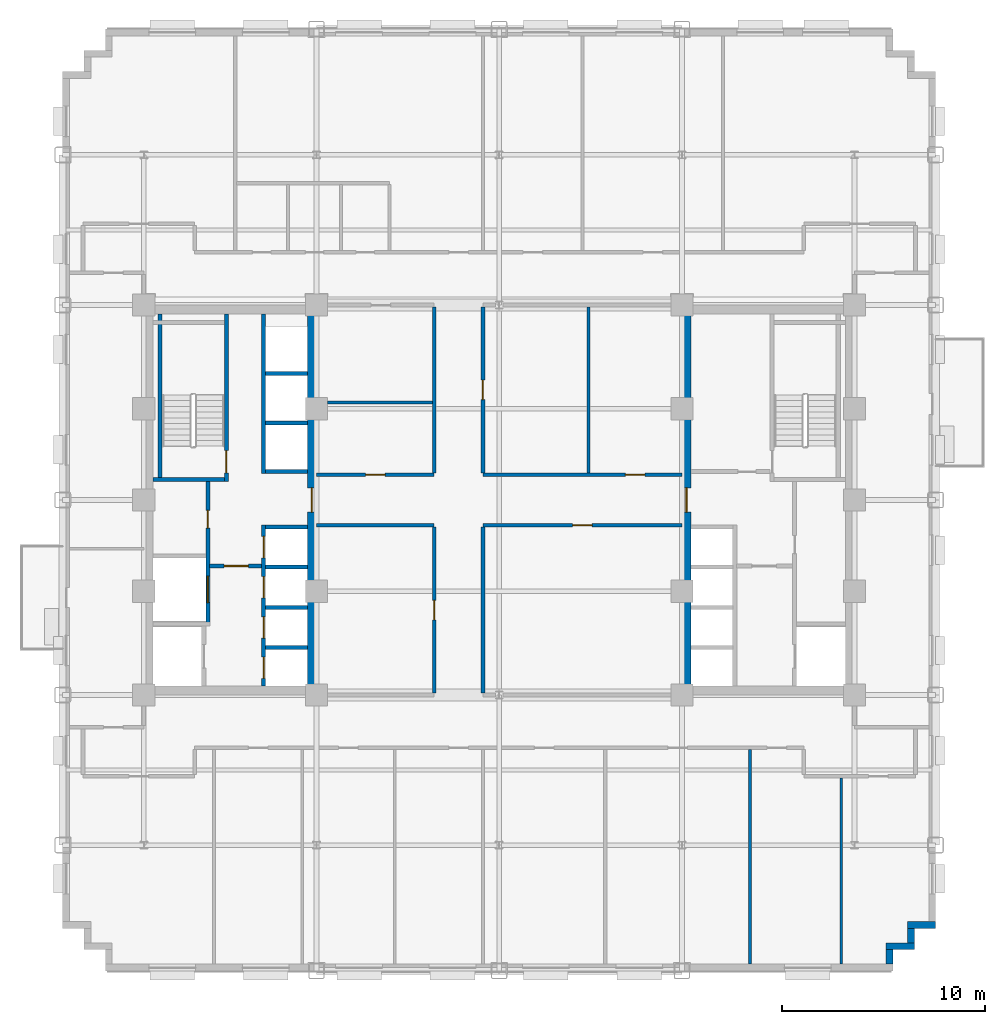
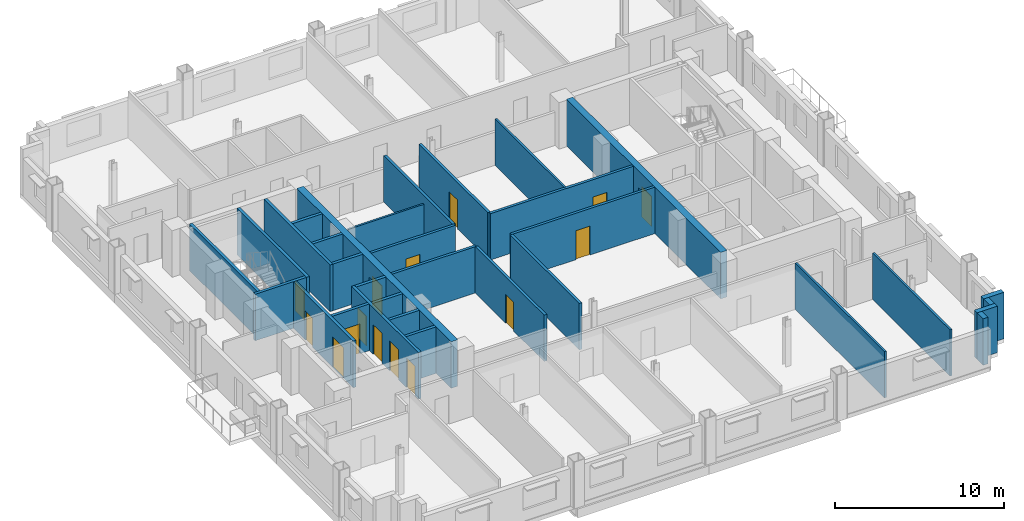
# One storey, part 7 of 14: 32 walls, 15 doors, 15 openings.
"""IFC4 building model written with IfcOpenShell, lengths in metres."""

from ifc_helpers import new_model, si_unit, direction, frame, frame_2d, origin, place, context, subcontext, project, spatial, rectangle, extrude, source, transform, mapped, material, layer, layer_set, type_object, type_shapes, element, fill, save


model = new_model("IFC4")

# Units and contexts
model_context = context("Model", 3, precision=1e-05, world=origin(), true_north=direction((0.0, 1.0)))
body_context = subcontext(model_context, "Body", "Model", "MODEL_VIEW")
ifc_project = project(units=[si_unit("LENGTHUNIT", "METRE"), si_unit("AREAUNIT", "SQUARE_METRE"), si_unit("VOLUMEUNIT", "CUBIC_METRE"), si_unit("PLANEANGLEUNIT", "RADIAN"), si_unit("MASSUNIT", "GRAM", prefix="KILO")], contexts=[model_context])

# Site, building, storey
site_placement = place(None, origin())
site = spatial("IfcSite", under=ifc_project, at=site_placement, CompositionType="ELEMENT")
building_placement = place(site_placement, origin())
building = spatial("IfcBuilding", under=site, at=building_placement, Name="Nuvemarco Arch Tower", CompositionType="ELEMENT")
storey_placement = place(building_placement, frame((0.0, 0.0, 75.050048828125)))
storey = spatial("IfcBuildingStorey", under=building, at=storey_placement, Name="L19", CompositionType="ELEMENT", Elevation=75.050048828125)

# Walls
ifc_material_1 = material(Name="Precast concrete C45/55", Category="concrete")
ifc_layer_1 = layer(ifc_material_1, 0.340087890625, Name="EW-LOW-340")
ifc_layer_set_1 = layer_set([ifc_layer_1], Name="Precast concrete C45/55")
wall_type_1 = type_object("IfcWallType", Name="EW-LOW-340", PredefinedType="STANDARD", material=ifc_layer_set_1)
wall_1_placement = place(storey_placement, frame((19.22998046875, -22.864013671875, 0.0), z_axis=(0.0, 0.0, 1.0), x_axis=(0.0, 1.0, 0.0)))
element("IfcWall", 1, at=wall_1_placement, inside=storey, type_object=wall_type_1, Name="L19 exterior precast facade wall 2", PredefinedType="STANDARD", context=body_context, shape_type="SweptSolid", body=[
    extrude(rectangle(XDim=0.718017578125, YDim=0.340087890625, at=frame_2d((0.35888671875, 0.0))), origin(), (0.0, 0.0, 1.0), 3.35986328125),
])
wall_2_placement = place(storey_placement, frame((19.06005859375, -21.97998046875, 0.0), z_axis=(0.0, 0.0, 1.0), x_axis=(1.0, 0.0, 0.0)))
element("IfcWall", 2, at=wall_2_placement, inside=storey, type_object=wall_type_1, Name="L19 exterior precast facade wall 3", PredefinedType="STANDARD", context=body_context, shape_type="SweptSolid", body=[
    extrude(rectangle(XDim=1.389892578125, YDim=0.340087890625, at=frame_2d((0.69482421875, 0.0))), origin(), (0.0, 0.0, 1.0), 3.35986328125),
])
wall_3_placement = place(storey_placement, frame((20.280029296875, -21.81396484375, 0.0), z_axis=(0.0, 0.0, 1.0), x_axis=(0.0, 1.0, 0.0)))
element("IfcWall", 3, at=wall_3_placement, inside=storey, type_object=wall_type_1, Name="L19 exterior precast facade wall 4", PredefinedType="STANDARD", context=body_context, shape_type="SweptSolid", body=[
    extrude(rectangle(XDim=0.718017578125, YDim=0.340087890625, at=frame_2d((0.35888671875, 0.0))), origin(), (0.0, 0.0, 1.0), 3.35986328125),
])
wall_4_placement = place(storey_placement, frame((20.110107421875, -20.929931640625, 0.0), z_axis=(0.0, 0.0, 1.0), x_axis=(1.0, 0.0, 0.0)))
element("IfcWall", 4, at=wall_4_placement, inside=storey, type_object=wall_type_1, Name="L19 exterior precast facade wall 5", PredefinedType="STANDARD", context=body_context, shape_type="SweptSolid", body=[
    extrude(rectangle(XDim=1.389892578125, YDim=0.340087890625, at=frame_2d((0.69482421875, 0.0))), origin(), (0.0, 0.0, 1.0), 3.35986328125),
])

# Wall, opening, door
ifc_material_2 = material(Name="Concrete C60/75", Category="concrete")
ifc_layer_2 = layer(ifc_material_2, 0.449951171875, Name="WL-CORE-450")
ifc_layer_set_2 = layer_set([ifc_layer_2], Name="Concrete C60/75")
wall_type_2 = type_object("IfcWallType", Name="WL-CORE-450", PredefinedType="SHEAR", material=ifc_layer_set_2)
wall_5_placement = place(storey_placement, frame((-9.22509765625, -9.155029296875, 0.0), z_axis=(0.0, 0.0, 1.0), x_axis=(0.0, 1.0, 0.0)))
wall_5 = element("IfcWall", 5, at=wall_5_placement, inside=storey, type_object=wall_type_2, Name="L19 W-core shear wall E", PredefinedType="SHEAR", context=body_context, shape_type="SweptSolid", body=[
    extrude(rectangle(XDim=18.31005859375, YDim=0.449951171875, at=frame_2d((9.155029296875, 0.0))), origin(), (0.0, 0.0, 1.0), 3.369873046875),
])
opening_1_placement = place(wall_5_placement, frame((8.554931640625, 0.0, 0.0)))
opening_1 = element("IfcOpeningElement", 6, at=opening_1_placement, cuts=wall_5, Name="Opening FD-2", PredefinedType="OPENING", context=body_context, shape_type="SweptSolid", body=[
    extrude(rectangle(XDim=1.199951171875, YDim=2.14990234375, at=frame_2d((0.60009765625, 1.074951171875))), frame((0.0, 0.23486328125, 0.0), z_axis=(0.0, -1.0, 0.0), x_axis=(1.0, 0.0, 0.0)), (0.0, 0.0, 1.0), 0.469970703125),
])
ifc_material_3 = material(Name="Anodised steel fire door", Category="steel")
door_type_1 = type_object("IfcDoorType", Name="DR-FFLOB-FD", OperationType="NOTDEFINED", PredefinedType="DOOR", material=ifc_material_3)
shared_shape_1 = source(origin(), body_context, "Body", "SweptSolid", [
    extrude(rectangle(XDim=1.199951171875, YDim=2.14990234375, at=frame_2d((0.60009765625, 1.074951171875))), frame((0.0, 0.02490234375, 0.0), z_axis=(0.0, -1.0, 0.0), x_axis=(1.0, 0.0, 0.0)), (0.0, 0.0, 1.0), 0.050048828125),
])
type_shapes(door_type_1, [shared_shape_1])
door_1_placement = place(opening_1_placement, origin())
door_1 = element("IfcDoor", 7, at=door_1_placement, inside=storey, type_object=door_type_1, Name="L19 door FD-L19-WCORE-E", OperationType="SINGLE_SWING_RIGHT", OverallHeight=2.14990234375, OverallWidth=1.199951171875, PredefinedType="DOOR", context=body_context, shape_type="MappedRepresentation", body=[
    mapped(shared_shape_1, transform((0.0, 0.0, 0.0), scale=1.0)),
])
fill(opening_1, door_1)

wall_6_placement = place(storey_placement, frame((9.22509765625, -9.155029296875, 0.0), z_axis=(0.0, 0.0, 1.0), x_axis=(0.0, 1.0, 0.0)))
wall_6 = element("IfcWall", 8, at=wall_6_placement, inside=storey, type_object=wall_type_2, Name="L19 E-core shear wall W", PredefinedType="SHEAR", context=body_context, shape_type="SweptSolid", body=[
    extrude(rectangle(XDim=18.31005859375, YDim=0.449951171875, at=frame_2d((9.155029296875, 0.0))), origin(), (0.0, 0.0, 1.0), 3.369873046875),
])
opening_2_placement = place(wall_6_placement, frame((8.554931640625, 0.0, 0.0)))
opening_2 = element("IfcOpeningElement", 9, at=opening_2_placement, cuts=wall_6, Name="Opening FD-2", PredefinedType="OPENING", context=body_context, shape_type="SweptSolid", body=[
    extrude(rectangle(XDim=1.199951171875, YDim=2.14990234375, at=frame_2d((0.60009765625, 1.074951171875))), frame((0.0, 0.23486328125, 0.0), z_axis=(0.0, -1.0, 0.0), x_axis=(1.0, 0.0, 0.0)), (0.0, 0.0, 1.0), 0.469970703125),
])
door_2_placement = place(opening_2_placement, origin())
door_2 = element("IfcDoor", 10, at=door_2_placement, inside=storey, type_object=door_type_1, Name="L19 door FD-L19-ECORE-W", OperationType="SINGLE_SWING_LEFT", OverallHeight=2.14990234375, OverallWidth=1.199951171875, PredefinedType="DOOR", context=body_context, shape_type="MappedRepresentation", body=[
    mapped(shared_shape_1, transform((0.0, 0.0, 0.0), scale=1.0)),
])
fill(opening_2, door_2)

# Wall
ifc_material_4 = material(Name="Fire-rated gypsum drywall partition")
ifc_layer_3 = layer(ifc_material_4, 0.179931640625, Name="WL-CORR-180")
ifc_layer_set_3 = layer_set([ifc_layer_3], Name="Fire-rated gypsum drywall partition")
wall_type_3 = type_object("IfcWallType", Name="WL-CORR-180", PredefinedType="PARTITIONING", material=ifc_layer_set_3)
wall_7_placement = place(storey_placement, frame((-9.0, -1.25, 0.0), z_axis=(0.0, 0.0, 1.0), x_axis=(1.0, 0.0, 0.0)))
element("IfcWall", 11, at=wall_7_placement, inside=storey, type_object=wall_type_3, Name="L19 interior wall IW-L19-010", PredefinedType="PARTITIONING", context=body_context, shape_type="SweptSolid", body=[
    extrude(rectangle(XDim=5.800048828125, YDim=0.179931640625, at=frame_2d((2.89990234375, 0.0))), origin(), (0.0, 0.0, 1.0), 3.35986328125),
])

# Wall, opening, door
wall_8_placement = place(storey_placement, frame((-0.800048828125, -1.25, 0.0), z_axis=(0.0, 0.0, 1.0), x_axis=(1.0, 0.0, 0.0)))
wall_8 = element("IfcWall", 12, at=wall_8_placement, inside=storey, type_object=wall_type_3, Name="L19 interior wall IW-L19-011", PredefinedType="PARTITIONING", context=body_context, shape_type="SweptSolid", body=[
    extrude(rectangle(XDim=9.800048828125, YDim=0.179931640625, at=frame_2d((4.89990234375, 0.0))), origin(), (0.0, 0.0, 1.0), 3.35986328125),
])
opening_3_placement = place(wall_8_placement, frame((4.419921875, 0.0, 0.0)))
opening_3 = element("IfcOpeningElement", 13, at=opening_3_placement, cuts=wall_8, Name="Opening FD-5", PredefinedType="OPENING", context=body_context, shape_type="SweptSolid", body=[
    extrude(rectangle(XDim=0.9599609375, YDim=2.10009765625, at=frame_2d((0.47998046875, 1.050048828125))), frame((0.0, 0.099853515625, 0.0), z_axis=(0.0, -1.0, 0.0), x_axis=(1.0, 0.0, 0.0)), (0.0, 0.0, 1.0), 0.199951171875),
])
ifc_material_5 = material(Name="Timber fire door", Category="wood")
door_type_2 = type_object("IfcDoorType", Name="DR-CORR-FD", OperationType="NOTDEFINED", PredefinedType="DOOR", material=ifc_material_5)
shared_shape_2 = source(origin(), body_context, "Body", "SweptSolid", [
    extrude(rectangle(XDim=0.9599609375, YDim=2.10009765625, at=frame_2d((0.47998046875, 1.050048828125))), frame((0.0, 0.02490234375, 0.0), z_axis=(0.0, -1.0, 0.0), x_axis=(1.0, 0.0, 0.0)), (0.0, 0.0, 1.0), 0.050048828125),
])
type_shapes(door_type_2, [shared_shape_2])
door_3_placement = place(opening_3_placement, origin())
door_3 = element("IfcDoor", 14, at=door_3_placement, inside=storey, type_object=door_type_2, Name="L19 door DR-L19-C_SE", OperationType="SINGLE_SWING_LEFT", OverallHeight=2.10009765625, OverallWidth=0.9599609375, PredefinedType="DOOR", context=body_context, shape_type="MappedRepresentation", body=[
    mapped(shared_shape_2, transform((0.0, 0.0, 0.0), scale=1.0)),
])
fill(opening_3, door_3)

wall_9_placement = place(storey_placement, frame((-9.0, 1.25, 0.0), z_axis=(0.0, 0.0, 1.0), x_axis=(1.0, 0.0, 0.0)))
wall_9 = element("IfcWall", 15, at=wall_9_placement, inside=storey, type_object=wall_type_3, Name="L19 interior wall IW-L19-012", PredefinedType="PARTITIONING", context=body_context, shape_type="SweptSolid", body=[
    extrude(rectangle(XDim=5.800048828125, YDim=0.179931640625, at=frame_2d((2.89990234375, 0.0))), origin(), (0.0, 0.0, 1.0), 3.35986328125),
])
opening_4_placement = place(wall_9_placement, frame((2.419921875, 0.0, 0.0)))
opening_4 = element("IfcOpeningElement", 16, at=opening_4_placement, cuts=wall_9, Name="Opening FD-5", PredefinedType="OPENING", context=body_context, shape_type="SweptSolid", body=[
    extrude(rectangle(XDim=0.9599609375, YDim=2.10009765625, at=frame_2d((0.47998046875, 1.050048828125))), frame((0.0, 0.099853515625, 0.0), z_axis=(0.0, -1.0, 0.0), x_axis=(1.0, 0.0, 0.0)), (0.0, 0.0, 1.0), 0.199951171875),
])
door_4_placement = place(opening_4_placement, origin())
door_4 = element("IfcDoor", 17, at=door_4_placement, inside=storey, type_object=door_type_2, Name="L19 door DR-L19-C_NW1", OperationType="SINGLE_SWING_LEFT", OverallHeight=2.10009765625, OverallWidth=0.9599609375, PredefinedType="DOOR", context=body_context, shape_type="MappedRepresentation", body=[
    mapped(shared_shape_2, transform((0.0, 0.0, 0.0), scale=1.0)),
])
fill(opening_4, door_4)

wall_10_placement = place(storey_placement, frame((-0.800048828125, 1.25, 0.0), z_axis=(0.0, 0.0, 1.0), x_axis=(1.0, 0.0, 0.0)))
wall_10 = element("IfcWall", 18, at=wall_10_placement, inside=storey, type_object=wall_type_3, Name="L19 interior wall IW-L19-013", PredefinedType="PARTITIONING", context=body_context, shape_type="SweptSolid", body=[
    extrude(rectangle(XDim=9.800048828125, YDim=0.179931640625, at=frame_2d((4.89990234375, 0.0))), origin(), (0.0, 0.0, 1.0), 3.35986328125),
])
opening_5_placement = place(wall_10_placement, frame((7.02001953125, 0.0, 0.0)))
opening_5 = element("IfcOpeningElement", 19, at=opening_5_placement, cuts=wall_10, Name="Opening FD-5", PredefinedType="OPENING", context=body_context, shape_type="SweptSolid", body=[
    extrude(rectangle(XDim=0.9599609375, YDim=2.10009765625, at=frame_2d((0.47998046875, 1.050048828125))), frame((0.0, 0.099853515625, 0.0), z_axis=(0.0, -1.0, 0.0), x_axis=(1.0, 0.0, 0.0)), (0.0, 0.0, 1.0), 0.199951171875),
])
door_5_placement = place(opening_5_placement, origin())
door_5 = element("IfcDoor", 20, at=door_5_placement, inside=storey, type_object=door_type_2, Name="L19 door DR-L19-C_NE2", OperationType="SINGLE_SWING_LEFT", OverallHeight=2.10009765625, OverallWidth=0.9599609375, PredefinedType="DOOR", context=body_context, shape_type="MappedRepresentation", body=[
    mapped(shared_shape_2, transform((0.0, 0.0, 0.0), scale=1.0)),
])
fill(opening_5, door_5)

wall_11_placement = place(storey_placement, frame((-3.199951171875, -9.513916015625, 0.0), z_axis=(0.0, 0.0, 1.0), x_axis=(0.0, 1.0, 0.0)))
wall_11 = element("IfcWall", 21, at=wall_11_placement, inside=storey, type_object=wall_type_3, Name="L19 interior wall IW-L19-037", PredefinedType="PARTITIONING", context=body_context, shape_type="SweptSolid", body=[
    extrude(rectangle(XDim=8.177978515625, YDim=0.179931640625, at=frame_2d((4.0888671875, 0.0))), origin(), (0.0, 0.0, 1.0), 3.35986328125),
])
opening_6_placement = place(wall_11_placement, frame((3.60888671875, 0.0, 0.0)))
opening_6 = element("IfcOpeningElement", 22, at=opening_6_placement, cuts=wall_11, Name="Opening FD-5", PredefinedType="OPENING", context=body_context, shape_type="SweptSolid", body=[
    extrude(rectangle(XDim=0.9599609375, YDim=2.10009765625, at=frame_2d((0.47998046875, 1.050048828125))), frame((0.0, 0.099853515625, 0.0), z_axis=(0.0, -1.0, 0.0), x_axis=(1.0, 0.0, 0.0)), (0.0, 0.0, 1.0), 0.199951171875),
])
door_6_placement = place(opening_6_placement, origin())
door_6 = element("IfcDoor", 23, at=door_6_placement, inside=storey, type_object=door_type_2, Name="L19 door DR-L19-C_SW", OperationType="SINGLE_SWING_RIGHT", OverallHeight=2.10009765625, OverallWidth=0.9599609375, PredefinedType="DOOR", context=body_context, shape_type="MappedRepresentation", body=[
    mapped(shared_shape_2, transform((0.0, 0.0, 0.0), scale=1.0)),
])
fill(opening_6, door_6)

# Walls
for number, where, z_axis, x_axis, name in (
    (24, (-3.199951171875, 1.3359375, 0.0), (0.0, 0.0, 1.0), (0.0, 1.0, 0.0), "L19 interior wall IW-L19-038"),
    (25, (-0.800048828125, -9.513916015625, 0.0), (0.0, 0.0, 1.0), (0.0, 1.0, 0.0), "L19 interior wall IW-L19-040"),
):
    element("IfcWall", number, at=place(storey_placement, frame(where, z_axis=z_axis, x_axis=x_axis)), inside=storey, type_object=wall_type_3, Name=name, PredefinedType="PARTITIONING", context=body_context, shape_type="SweptSolid", body=[
        extrude(rectangle(XDim=8.177978515625, YDim=0.179931640625, at=frame_2d((4.0888671875, 0.0))), origin(), (0.0, 0.0, 1.0), 3.35986328125),
    ])

# Wall, opening, door
wall_12_placement = place(storey_placement, frame((-0.800048828125, 1.3359375, 0.0), z_axis=(0.0, 0.0, 1.0), x_axis=(0.0, 1.0, 0.0)))
wall_12 = element("IfcWall", 26, at=wall_12_placement, inside=storey, type_object=wall_type_3, Name="L19 interior wall IW-L19-041", PredefinedType="PARTITIONING", context=body_context, shape_type="SweptSolid", body=[
    extrude(rectangle(XDim=8.177978515625, YDim=0.179931640625, at=frame_2d((4.0888671875, 0.0))), origin(), (0.0, 0.0, 1.0), 3.35986328125),
])
opening_7_placement = place(wall_12_placement, frame((3.60888671875, 0.0, 0.0)))
opening_7 = element("IfcOpeningElement", 27, at=opening_7_placement, cuts=wall_12, Name="Opening FD-5", PredefinedType="OPENING", context=body_context, shape_type="SweptSolid", body=[
    extrude(rectangle(XDim=0.9599609375, YDim=2.10009765625, at=frame_2d((0.47998046875, 1.050048828125))), frame((0.0, 0.099853515625, 0.0), z_axis=(0.0, -1.0, 0.0), x_axis=(1.0, 0.0, 0.0)), (0.0, 0.0, 1.0), 0.199951171875),
])
door_7_placement = place(opening_7_placement, origin())
door_7 = element("IfcDoor", 28, at=door_7_placement, inside=storey, type_object=door_type_2, Name="L19 door DR-L19-C_NE1", OperationType="SINGLE_SWING_LEFT", OverallHeight=2.10009765625, OverallWidth=0.9599609375, PredefinedType="DOOR", context=body_context, shape_type="MappedRepresentation", body=[
    mapped(shared_shape_2, transform((0.0, 0.0, 0.0), scale=1.0)),
])
fill(opening_7, door_7)

# Walls
ifc_material_6 = material(Name="Glazed acoustic office partition")
ifc_layer_4 = layer(ifc_material_6, 0.1298828125, Name="WL-EXEC-130")
ifc_layer_set_4 = layer_set([ifc_layer_4], Name="Glazed acoustic office partition")
wall_type_4 = type_object("IfcWallType", Name="WL-EXEC-130", PredefinedType="PARTITIONING", material=ifc_layer_set_4)
wall_13_placement = place(storey_placement, frame((-8.4541015625, 4.800048828125, 0.0), z_axis=(0.0, 0.0, 1.0), x_axis=(1.0, 0.0, 0.0)))
element("IfcWall", 29, at=wall_13_placement, inside=storey, type_object=wall_type_4, Name="L19 interior wall IW-L19-014", PredefinedType="PARTITIONING", context=body_context, shape_type="SweptSolid", body=[
    extrude(rectangle(XDim=5.168212890625, YDim=0.1298828125, at=frame_2d((2.583984375, 0.0))), origin(), (0.0, 0.0, 1.0), 2.738037109375),
])
ifc_material_7 = material(Name="Gypsum plasterboard partition")
ifc_layer_5 = layer(ifc_material_7, 0.139892578125, Name="WL-ROOM-140")
ifc_layer_set_5 = layer_set([ifc_layer_5], Name="Gypsum plasterboard partition")
wall_type_5 = type_object("IfcWallType", Name="WL-ROOM-140", PredefinedType="PARTITIONING", material=ifc_layer_set_5)
wall_14_placement = place(storey_placement, frame((4.39990234375, 1.3359375, 0.0), z_axis=(0.0, 0.0, 1.0), x_axis=(0.0, 1.0, 0.0)))
element("IfcWall", 30, at=wall_14_placement, inside=storey, type_object=wall_type_5, Name="L19 interior wall IW-L19-044", PredefinedType="PARTITIONING", context=body_context, shape_type="SweptSolid", body=[
    extrude(rectangle(XDim=8.177978515625, YDim=0.139892578125, at=frame_2d((4.0888671875, 0.0))), origin(), (0.0, 0.0, 1.0), 3.35986328125),
])
wall_15_placement = place(storey_placement, frame((12.360107421875, -22.860107421875, 0.0), z_axis=(0.0, 0.0, 1.0), x_axis=(0.0, 1.0, 0.0)))
element("IfcWall", 31, at=wall_15_placement, inside=storey, type_object=wall_type_5, Name="L19 interior wall IW-L19-047", PredefinedType="PARTITIONING", context=body_context, shape_type="SweptSolid", body=[
    extrude(rectangle(XDim=10.57421875, YDim=0.139892578125, at=frame_2d((5.287109375, 0.0))), origin(), (0.0, 0.0, 1.0), 3.35986328125),
])
wall_16_placement = place(storey_placement, frame((16.85009765625, -22.860107421875, 0.0), z_axis=(0.0, 0.0, 1.0), x_axis=(0.0, 1.0, 0.0)))
element("IfcWall", 32, at=wall_16_placement, inside=storey, type_object=wall_type_5, Name="L19 interior wall IW-L19-050", PredefinedType="PARTITIONING", context=body_context, shape_type="SweptSolid", body=[
    extrude(rectangle(XDim=9.174072265625, YDim=0.139892578125, at=frame_2d((4.5869140625, 0.0))), origin(), (0.0, 0.0, 1.0), 3.35986328125),
])

# Wall, opening, door
ifc_material_8 = material(Name="Concrete C50/60", Category="concrete")
ifc_layer_6 = layer(ifc_material_8, 0.199951171875, Name="WL-SHAFT-220")
ifc_layer_set_6 = layer_set([ifc_layer_6], Name="Concrete C50/60")
wall_type_6 = type_object("IfcWallType", Name="WL-SHAFT-220", PredefinedType="SHEAR", material=ifc_layer_set_6)
wall_17_placement = place(storey_placement, frame((-13.43994140625, 0.89990234375, 0.0), z_axis=(0.0, 0.0, 1.0), x_axis=(0.0, 1.0, 0.0)))
wall_17 = element("IfcWall", 33, at=wall_17_placement, inside=storey, type_object=wall_type_6, Name="L19 structural shaft wall SW-L19-W-ST1E", PredefinedType="SHEAR", context=body_context, shape_type="SweptSolid", body=[
    extrude(rectangle(XDim=8.255126953125, YDim=0.199951171875, at=frame_2d((4.12744140625, 0.0))), origin(), (0.0, 0.0, 1.0), 3.369873046875),
])
opening_8_placement = place(wall_17_placement, frame((1.530029296875, 0.0, 0.0), z_axis=(0.0, 0.0, 1.0), x_axis=(-1.0, 0.0, 0.0)))
opening_8 = element("IfcOpeningElement", 34, at=opening_8_placement, cuts=wall_17, Name="Opening FD-1", PredefinedType="OPENING", context=body_context, shape_type="SweptSolid", body=[
    extrude(rectangle(XDim=1.10009765625, YDim=2.14990234375, at=frame_2d((0.550048828125, 1.074951171875))), frame((0.0, 0.10986328125, 0.0), z_axis=(0.0, -1.0, 0.0), x_axis=(1.0, 0.0, 0.0)), (0.0, 0.0, 1.0), 0.219970703125),
])
door_type_3 = type_object("IfcDoorType", Name="DR-STAIR-FD", OperationType="NOTDEFINED", PredefinedType="DOOR", material=ifc_material_3)
shared_shape_3 = source(origin(), body_context, "Body", "SweptSolid", [
    extrude(rectangle(XDim=1.10009765625, YDim=2.14990234375, at=frame_2d((0.550048828125, 1.074951171875))), frame((0.0, 0.02490234375, 0.0), z_axis=(0.0, -1.0, 0.0), x_axis=(1.0, 0.0, 0.0)), (0.0, 0.0, 1.0), 0.050048828125),
])
type_shapes(door_type_3, [shared_shape_3])
door_8_placement = place(opening_8_placement, origin())
door_8 = element("IfcDoor", 35, at=door_8_placement, inside=storey, type_object=door_type_3, Name="L19 door FD-L19-ST1", OperationType="SINGLE_SWING_RIGHT", OverallHeight=2.14990234375, OverallWidth=1.10009765625, PredefinedType="DOOR", context=body_context, shape_type="MappedRepresentation", body=[
    mapped(shared_shape_3, transform((0.0, 0.0, 0.0), scale=1.0)),
])
fill(opening_8, door_8)

# Walls
wall_18_placement = place(storey_placement, frame((-17.054931640625, 1.0, 0.0), z_axis=(0.0, 0.0, 1.0), x_axis=(1.0, 0.0, 0.0)))
element("IfcWall", 36, at=wall_18_placement, inside=storey, type_object=wall_type_6, Name="L19 structural shaft wall SW-L19-W-ST1S", PredefinedType="SHEAR", context=body_context, shape_type="SweptSolid", body=[
    extrude(rectangle(XDim=3.52001953125, YDim=0.199951171875, at=frame_2d((1.760009765625, 0.0))), origin(), (0.0, 0.0, 1.0), 3.369873046875),
])
wall_19_placement = place(storey_placement, frame((-16.699951171875, 1.094970703125, 0.0), z_axis=(0.0, 0.0, 1.0), x_axis=(0.0, 1.0, 0.0)))
element("IfcWall", 37, at=wall_19_placement, inside=storey, type_object=wall_type_6, Name="L19 structural shaft wall SW-L19-W-ST1W", PredefinedType="SHEAR", context=body_context, shape_type="SweptSolid", body=[
    extrude(rectangle(XDim=8.06005859375, YDim=0.199951171875, at=frame_2d((4.030029296875, 0.0))), origin(), (0.0, 0.0, 1.0), 3.369873046875),
])

# Wall, openings, doors
wall_20_placement = place(storey_placement, frame((-14.35009765625, -6.199951171875, 0.0), z_axis=(0.0, 0.0, 1.0), x_axis=(0.0, 1.0, 0.0)))
wall_20 = element("IfcWall", 38, at=wall_20_placement, inside=storey, type_object=wall_type_6, Name="L19 structural shaft wall SW-L19-W-SVE", PredefinedType="SHEAR", context=body_context, shape_type="SweptSolid", body=[
    extrude(rectangle(XDim=7.10498046875, YDim=0.199951171875, at=frame_2d((3.552490234375, 0.0))), origin(), (0.0, 0.0, 1.0), 3.369873046875),
])
opening_9_placement = place(wall_20_placement, frame((5.68994140625, 0.0, 0.0), z_axis=(0.0, 0.0, 1.0), x_axis=(-1.0, 0.0, 0.0)))
opening_9 = element("IfcOpeningElement", 39, at=opening_9_placement, cuts=wall_20, Name="Opening FD-4", PredefinedType="OPENING", context=body_context, shape_type="SweptSolid", body=[
    extrude(rectangle(XDim=0.8798828125, YDim=2.10009765625, at=frame_2d((0.43994140625, 1.050048828125))), frame((0.0, 0.10986328125, 0.0), z_axis=(0.0, -1.0, 0.0), x_axis=(1.0, 0.0, 0.0)), (0.0, 0.0, 1.0), 0.219970703125),
])
opening_10_placement = place(wall_20_placement, frame((1.14990234375, 0.0, 0.0)))
opening_10 = element("IfcOpeningElement", 40, at=opening_10_placement, cuts=wall_20, Name="Opening LD-3", PredefinedType="OPENING", context=body_context, shape_type="SweptSolid", body=[
    extrude(rectangle(XDim=1.300048828125, YDim=2.199951171875, at=frame_2d((0.64990234375, 1.10009765625))), frame((0.0, 0.10986328125, 0.0), z_axis=(0.0, -1.0, 0.0), x_axis=(1.0, 0.0, 0.0)), (0.0, 0.0, 1.0), 0.219970703125),
])
door_type_4 = type_object("IfcDoorType", Name="DR-RISER-FD", OperationType="NOTDEFINED", PredefinedType="DOOR", material=ifc_material_3)
shared_shape_4 = source(origin(), body_context, "Body", "SweptSolid", [
    extrude(rectangle(XDim=0.8798828125, YDim=2.10009765625, at=frame_2d((0.43994140625, 1.050048828125))), frame((0.0, 0.02490234375, 0.0), z_axis=(0.0, -1.0, 0.0), x_axis=(1.0, 0.0, 0.0)), (0.0, 0.0, 1.0), 0.050048828125),
])
type_shapes(door_type_4, [shared_shape_4])
door_9_placement = place(opening_9_placement, origin())
door_9 = element("IfcDoor", 41, at=door_9_placement, inside=storey, type_object=door_type_4, Name="L19 door FD-L19-WRIS", OperationType="SINGLE_SWING_RIGHT", OverallHeight=2.10009765625, OverallWidth=0.8798828125, PredefinedType="DOOR", context=body_context, shape_type="MappedRepresentation", body=[
    mapped(shared_shape_4, transform((0.0, 0.0, 0.0), scale=1.0)),
])
fill(opening_9, door_9)
ifc_material_9 = material(Name="Stainless steel lift door", Category="steel")
door_type_5 = type_object("IfcDoorType", Name="DR-LIFT-SERV", OperationType="DOUBLE_DOOR_SLIDING", PredefinedType="DOOR", material=ifc_material_9)
shared_shape_5 = source(origin(), body_context, "Body", "SweptSolid", [
    extrude(rectangle(XDim=1.300048828125, YDim=2.199951171875, at=frame_2d((0.64990234375, 1.10009765625))), frame((0.0, 0.02490234375, 0.0), z_axis=(0.0, -1.0, 0.0), x_axis=(1.0, 0.0, 0.0)), (0.0, 0.0, 1.0), 0.050048828125),
])
type_shapes(door_type_5, [shared_shape_5])
door_10_placement = place(opening_10_placement, origin())
door_10 = element("IfcDoor", 42, at=door_10_placement, inside=storey, type_object=door_type_5, Name="L19 Lift landing sliding door SVL-1", OperationType="DOUBLE_DOOR_SLIDING", OverallHeight=2.199951171875, OverallWidth=1.300048828125, PredefinedType="DOOR", context=body_context, shape_type="MappedRepresentation", body=[
    mapped(shared_shape_5, transform((0.0, 0.0, 0.0), scale=1.0)),
])
fill(opening_10, door_10)

wall_21_placement = place(storey_placement, frame((-11.60009765625, -9.155029296875, 0.0), z_axis=(0.0, 0.0, 1.0), x_axis=(0.0, 1.0, 0.0)))
wall_21 = element("IfcWall", 43, at=wall_21_placement, inside=storey, type_object=wall_type_6, Name="L19 structural shaft wall SW-L19-W-PLW", PredefinedType="SHEAR", context=body_context, shape_type="SweptSolid", body=[
    extrude(rectangle(XDim=7.925048828125, YDim=0.199951171875, at=frame_2d((3.96240234375, 0.0))), origin(), (0.0, 0.0, 1.0), 3.369873046875),
])
opening_11_placement = place(wall_21_placement, frame((0.3701171875, 0.0, 0.0)))
opening_11 = element("IfcOpeningElement", 44, at=opening_11_placement, cuts=wall_21, Name="Opening LD-1", PredefinedType="OPENING", context=body_context, shape_type="SweptSolid", body=[
    extrude(rectangle(XDim=1.050048828125, YDim=2.14990234375, at=frame_2d((0.52490234375, 1.074951171875))), frame((0.0, 0.10986328125, 0.0), z_axis=(0.0, -1.0, 0.0), x_axis=(1.0, 0.0, 0.0)), (0.0, 0.0, 1.0), 0.219970703125),
])
opening_12_placement = place(wall_21_placement, frame((2.35009765625, 0.0, 0.0)))
opening_12 = element("IfcOpeningElement", 45, at=opening_12_placement, cuts=wall_21, Name="Opening LD-1", PredefinedType="OPENING", context=body_context, shape_type="SweptSolid", body=[
    extrude(rectangle(XDim=1.050048828125, YDim=2.14990234375, at=frame_2d((0.52490234375, 1.074951171875))), frame((0.0, 0.10986328125, 0.0), z_axis=(0.0, -1.0, 0.0), x_axis=(1.0, 0.0, 0.0)), (0.0, 0.0, 1.0), 0.219970703125),
])
opening_13_placement = place(wall_21_placement, frame((4.330078125, 0.0, 0.0)))
opening_13 = element("IfcOpeningElement", 46, at=opening_13_placement, cuts=wall_21, Name="Opening LD-1", PredefinedType="OPENING", context=body_context, shape_type="SweptSolid", body=[
    extrude(rectangle(XDim=1.050048828125, YDim=2.14990234375, at=frame_2d((0.52490234375, 1.074951171875))), frame((0.0, 0.10986328125, 0.0), z_axis=(0.0, -1.0, 0.0), x_axis=(1.0, 0.0, 0.0)), (0.0, 0.0, 1.0), 0.219970703125),
])
opening_14_placement = place(wall_21_placement, frame((6.31005859375, 0.0, 0.0)))
opening_14 = element("IfcOpeningElement", 47, at=opening_14_placement, cuts=wall_21, Name="Opening LD-1", PredefinedType="OPENING", context=body_context, shape_type="SweptSolid", body=[
    extrude(rectangle(XDim=1.050048828125, YDim=2.14990234375, at=frame_2d((0.52490234375, 1.074951171875))), frame((0.0, 0.10986328125, 0.0), z_axis=(0.0, -1.0, 0.0), x_axis=(1.0, 0.0, 0.0)), (0.0, 0.0, 1.0), 0.219970703125),
])
door_type_6 = type_object("IfcDoorType", Name="DR-LIFT-PASS", OperationType="DOUBLE_DOOR_SLIDING", PredefinedType="DOOR", material=ifc_material_9)
shared_shape_6 = source(origin(), body_context, "Body", "SweptSolid", [
    extrude(rectangle(XDim=1.050048828125, YDim=2.14990234375, at=frame_2d((0.52490234375, 1.074951171875))), frame((0.0, 0.02490234375, 0.0), z_axis=(0.0, -1.0, 0.0), x_axis=(1.0, 0.0, 0.0)), (0.0, 0.0, 1.0), 0.050048828125),
])
type_shapes(door_type_6, [shared_shape_6])
door_11_placement = place(opening_11_placement, origin())
door_11 = element("IfcDoor", 48, at=door_11_placement, inside=storey, type_object=door_type_6, Name="L19 Lift landing sliding door PL-1", OperationType="DOUBLE_DOOR_SLIDING", OverallHeight=2.14990234375, OverallWidth=1.050048828125, PredefinedType="DOOR", context=body_context, shape_type="MappedRepresentation", body=[
    mapped(shared_shape_6, transform((0.0, 0.0, 0.0), scale=1.0)),
])
fill(opening_11, door_11)
door_12_placement = place(opening_12_placement, origin())
door_12 = element("IfcDoor", 49, at=door_12_placement, inside=storey, type_object=door_type_6, Name="L19 Lift landing sliding door PL-2", OperationType="DOUBLE_DOOR_SLIDING", OverallHeight=2.14990234375, OverallWidth=1.050048828125, PredefinedType="DOOR", context=body_context, shape_type="MappedRepresentation", body=[
    mapped(shared_shape_6, transform((0.0, 0.0, 0.0), scale=1.0)),
])
fill(opening_12, door_12)
door_13_placement = place(opening_13_placement, origin())
door_13 = element("IfcDoor", 50, at=door_13_placement, inside=storey, type_object=door_type_6, Name="L19 Lift landing sliding door PL-3", OperationType="DOUBLE_DOOR_SLIDING", OverallHeight=2.14990234375, OverallWidth=1.050048828125, PredefinedType="DOOR", context=body_context, shape_type="MappedRepresentation", body=[
    mapped(shared_shape_6, transform((0.0, 0.0, 0.0), scale=1.0)),
])
fill(opening_13, door_13)
door_14_placement = place(opening_14_placement, origin())
door_14 = element("IfcDoor", 51, at=door_14_placement, inside=storey, type_object=door_type_6, Name="L19 Lift landing sliding door PL-4", OperationType="DOUBLE_DOOR_SLIDING", OverallHeight=2.14990234375, OverallWidth=1.050048828125, PredefinedType="DOOR", context=body_context, shape_type="MappedRepresentation", body=[
    mapped(shared_shape_6, transform((0.0, 0.0, 0.0), scale=1.0)),
])
fill(opening_14, door_14)

# Wall, opening, door
wall_22_placement = place(storey_placement, frame((-14.2548828125, -3.25, 0.0), z_axis=(0.0, 0.0, 1.0), x_axis=(1.0, 0.0, 0.0)))
wall_22 = element("IfcWall", 52, at=wall_22_placement, inside=storey, type_object=wall_type_6, Name="L19 structural shaft wall SW-L19-W-FFN", PredefinedType="SHEAR", context=body_context, shape_type="SweptSolid", body=[
    extrude(rectangle(XDim=2.559814453125, YDim=0.199951171875, at=frame_2d((1.27978515625, 0.0))), origin(), (0.0, 0.0, 1.0), 3.369873046875),
])
opening_15_placement = place(wall_22_placement, frame((0.705078125, 0.0, 0.0)))
opening_15 = element("IfcOpeningElement", 53, at=opening_15_placement, cuts=wall_22, Name="Opening FD-2", PredefinedType="OPENING", context=body_context, shape_type="SweptSolid", body=[
    extrude(rectangle(XDim=1.199951171875, YDim=2.14990234375, at=frame_2d((0.60009765625, 1.074951171875))), frame((0.0, 0.10986328125, 0.0), z_axis=(0.0, -1.0, 0.0), x_axis=(1.0, 0.0, 0.0)), (0.0, 0.0, 1.0), 0.219970703125),
])
door_15_placement = place(opening_15_placement, origin())
door_15 = element("IfcDoor", 54, at=door_15_placement, inside=storey, type_object=door_type_1, Name="L19 door FD-L19-WFF1", OperationType="SINGLE_SWING_RIGHT", OverallHeight=2.14990234375, OverallWidth=1.199951171875, PredefinedType="DOOR", context=body_context, shape_type="MappedRepresentation", body=[
    mapped(shared_shape_1, transform((0.0, 0.0, 0.0), scale=1.0)),
])
fill(opening_15, door_15)

# Walls
for number, where, z_axis, x_axis, name in (
    (55, (-11.5048828125, -7.27001953125, 0.0), (0.0, 0.0, 1.0), (1.0, 0.0, 0.0), "L19 structural shaft wall SW-L19-W-PLD1"),
    (56, (-11.5048828125, -5.2900390625, 0.0), (0.0, 0.0, 1.0), (1.0, 0.0, 0.0), "L19 structural shaft wall SW-L19-W-PLD2"),
    (57, (-11.5048828125, -3.31005859375, 0.0), (0.0, 0.0, 1.0), (1.0, 0.0, 0.0), "L19 structural shaft wall SW-L19-W-PLD3"),
    (58, (-11.5048828125, -1.330078125, 0.0), (0.0, 0.0, 1.0), (1.0, 0.0, 0.0), "L19 structural shaft wall SW-L19-W-PLD4"),
):
    element("IfcWall", number, at=place(storey_placement, frame(where, z_axis=z_axis, x_axis=x_axis)), inside=storey, type_object=wall_type_6, Name=name, PredefinedType="SHEAR", context=body_context, shape_type="SweptSolid", body=[
        extrude(rectangle(XDim=2.059814453125, YDim=0.199951171875, at=frame_2d((1.02978515625, 0.0))), origin(), (0.0, 0.0, 1.0), 3.369873046875),
    ])
wall_23_placement = place(storey_placement, frame((-11.60009765625, 1.300048828125, 0.0), z_axis=(0.0, 0.0, 1.0), x_axis=(0.0, 1.0, 0.0)))
element("IfcWall", 59, at=wall_23_placement, inside=storey, type_object=wall_type_6, Name="L19 structural shaft wall SW-L19-W-PHW", PredefinedType="SHEAR", context=body_context, shape_type="SweptSolid", body=[
    extrude(rectangle(XDim=7.85498046875, YDim=0.199951171875, at=frame_2d((3.927490234375, 0.0))), origin(), (0.0, 0.0, 1.0), 3.369873046875),
])
for number, where, z_axis, x_axis, name in (
    (60, (-11.5048828125, 1.39990234375, 0.0), (0.0, 0.0, 1.0), (1.0, 0.0, 0.0), "L19 structural shaft wall SW-L19-W-PHD1"),
    (61, (-11.5048828125, 3.800048828125, 0.0), (0.0, 0.0, 1.0), (1.0, 0.0, 0.0), "L19 structural shaft wall SW-L19-W-PHD2"),
    (62, (-11.5048828125, 6.219970703125, 0.0), (0.0, 0.0, 1.0), (1.0, 0.0, 0.0), "L19 structural shaft wall SW-L19-W-PHD3"),
):
    element("IfcWall", number, at=place(storey_placement, frame(where, z_axis=z_axis, x_axis=x_axis)), inside=storey, type_object=wall_type_6, Name=name, PredefinedType="SHEAR", context=body_context, shape_type="SweptSolid", body=[
        extrude(rectangle(XDim=2.059814453125, YDim=0.199951171875, at=frame_2d((1.02978515625, 0.0))), origin(), (0.0, 0.0, 1.0), 3.369873046875),
    ])

save(model, "model.ifc")
